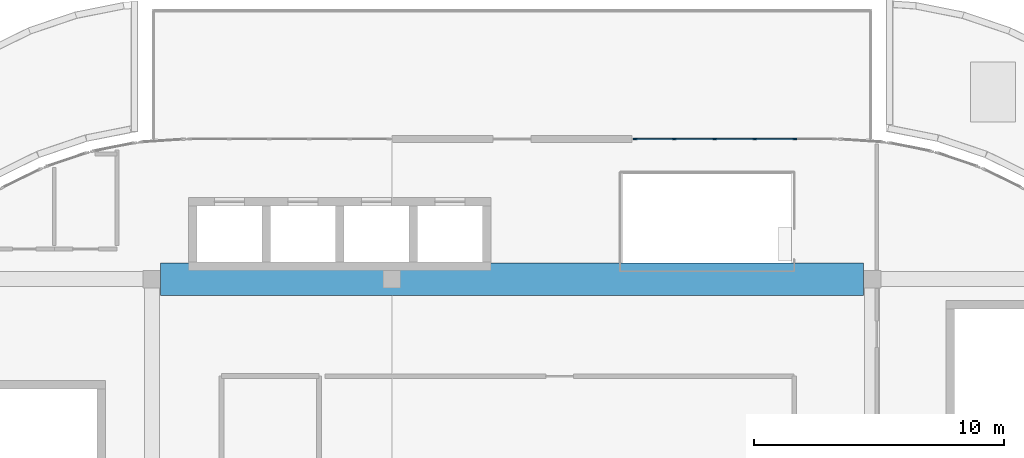
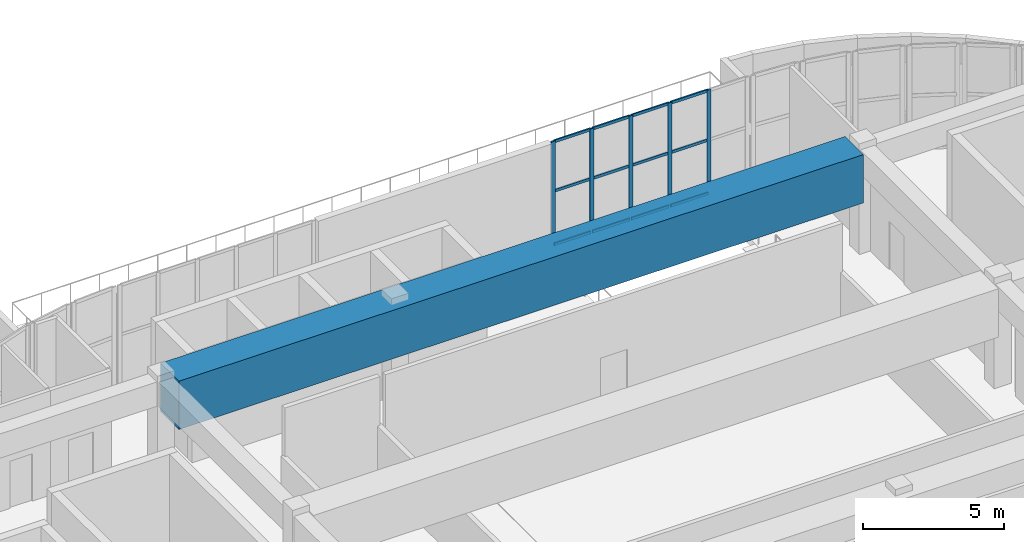
# One storey, part 11 of 23: 17 members, 1 beam, 1 element without a shape of its own.
"""IFC4 building model written with IfcOpenShell, lengths in metres."""

from ifc_helpers import new_model, si_unit, direction, frame, origin, origin_2d, place, context, subcontext, project, spatial, rectangle, extrude, material, layer, layer_set, material_profile, profile_set, type_object, element, aggregate, save


model = new_model("IFC4")

# Units and contexts
model_context = context("Model", 3, precision=1e-05, world=origin(), true_north=direction((0.0, 1.0)))
body_context = subcontext(model_context, "Body", "Model", "MODEL_VIEW")
ifc_project = project(units=[si_unit("LENGTHUNIT", "METRE"), si_unit("AREAUNIT", "SQUARE_METRE"), si_unit("VOLUMEUNIT", "CUBIC_METRE"), si_unit("PLANEANGLEUNIT", "RADIAN"), si_unit("MASSUNIT", "GRAM", prefix="KILO")], contexts=[model_context])

# Site, building, storey
site_placement = place(None, origin())
site = spatial("IfcSite", under=ifc_project, at=site_placement, CompositionType="ELEMENT")
building_placement = place(site_placement, origin())
building = spatial("IfcBuilding", under=site, at=building_placement, Name="Cendralis Terraced Arcade", CompositionType="ELEMENT")
storey_placement = place(building_placement, frame((0.0, 0.0, 29.39990234375)))
storey = spatial("IfcBuildingStorey", under=building, at=storey_placement, Name="L06", CompositionType="ELEMENT", Elevation=29.39990234375)

# Beam
ifc_material_1 = material(Name="Concrete f'c 42 MPa", Category="concrete")
ifc_material_profile_1 = material_profile(ifc_material_1, rectangle(XDim=1.300048828125, YDim=2.10009765625, at=origin_2d()), Name="RC-TG-1300x2100", Category="LoadBearing")
ifc_profile_set_1 = profile_set([ifc_material_profile_1], Name="Concrete f'c 42 MPa")
beam_type = type_object("IfcBeamType", Name="BM-TG-1300x2100", PredefinedType="USERDEFINED", material=ifc_profile_set_1)
beam_placement = place(storey_placement, frame((19.550048828125, 38.39990234375, 3.47509765625), z_axis=(1.0, 0.0, 0.0), x_axis=(0.0, 1.0, 0.0)))
element("IfcBeam", 1, at=beam_placement, inside=storey, type_object=beam_type, Name="Atrium Bridge Transfer Girder TG-ATR-RF-E", ObjectType="TRANSFER GIRDER", PredefinedType="USERDEFINED", context=body_context, shape_type="SweptSolid", body=[
    extrude(rectangle(XDim=1.300048828125, YDim=2.10009765625, at=origin_2d()), origin(), (0.0, 0.0, 1.0), 28.099853515625),
])

# Curtain wall, members
ifc_material_2 = material(Name="Anodised aluminium EN AW-6063 T6", Category="aluminium")
ifc_layer = layer(ifc_material_2, 0.159912109375, Name="CW-UNIT-B")
ifc_layer_set = layer_set([ifc_layer], Name="Anodised aluminium EN AW-6063 T6")
curtain_wall_type = type_object("IfcCurtainWallType", Name="CW-UNIT-B", PredefinedType="USERDEFINED", material=ifc_layer_set)
curtain_wall_placement = place(storey_placement, origin())
curtain_wall = element("IfcCurtainWall", 2, at=curtain_wall_placement, inside=storey, type_object=curtain_wall_type, Name="Exterior Unitised Facade CW-L06-0458", ObjectType="UNITISED FACADE", PredefinedType="USERDEFINED")
ifc_material_profile_2 = material_profile(ifc_material_2, rectangle(XDim=0.06494140625, YDim=0.159912109375, at=origin_2d()), Name="ALU-MUL-65x160")
ifc_profile_set_2 = profile_set([ifc_material_profile_2], Name="Anodised aluminium EN AW-6063 T6")
member_type_1 = type_object("IfcMemberType", Name="CW-UNIT-B-MUL", PredefinedType="MULLION", material=ifc_profile_set_2)
member_1_placement = place(storey_placement, frame((38.5224609375, 44.0, 0.0), z_axis=(0.0, 0.0, 1.0), x_axis=(0.0, 1.0, 0.0)))
member_1 = element("IfcMember", 3, at=member_1_placement, type_object=member_type_1, Name="CW-U2 mullion 1", PredefinedType="MULLION", context=body_context, shape_type="SweptSolid", body=[
    extrude(rectangle(XDim=0.06494140625, YDim=0.159912109375, at=origin_2d()), origin(), (0.0, 0.0, 1.0), 4.525146484375),
])
member_2_placement = place(storey_placement, frame((40.093994140625, 44.0, 0.0), z_axis=(0.0, 0.0, 1.0), x_axis=(0.0, 1.0, 0.0)))
member_2 = element("IfcMember", 4, at=member_2_placement, type_object=member_type_1, Name="CW-U2 mullion 2", PredefinedType="MULLION", context=body_context, shape_type="SweptSolid", body=[
    extrude(rectangle(XDim=0.06494140625, YDim=0.159912109375, at=origin_2d()), origin(), (0.0, 0.0, 1.0), 4.525146484375),
])
member_3_placement = place(storey_placement, frame((41.697998046875, 44.0, 0.0), z_axis=(0.0, 0.0, 1.0), x_axis=(0.0, 1.0, 0.0)))
member_3 = element("IfcMember", 5, at=member_3_placement, type_object=member_type_1, Name="CW-U2 mullion 3", PredefinedType="MULLION", context=body_context, shape_type="SweptSolid", body=[
    extrude(rectangle(XDim=0.06494140625, YDim=0.159912109375, at=origin_2d()), origin(), (0.0, 0.0, 1.0), 4.525146484375),
])
member_4_placement = place(storey_placement, frame((43.302001953125, 44.0, 0.0), z_axis=(0.0, 0.0, 1.0), x_axis=(0.0, 1.0, 0.0)))
member_4 = element("IfcMember", 6, at=member_4_placement, type_object=member_type_1, Name="CW-U2 mullion 4", PredefinedType="MULLION", context=body_context, shape_type="SweptSolid", body=[
    extrude(rectangle(XDim=0.06494140625, YDim=0.159912109375, at=origin_2d()), origin(), (0.0, 0.0, 1.0), 4.525146484375),
])
member_5_placement = place(storey_placement, frame((44.906005859375, 44.0, 0.0), z_axis=(0.0, 0.0, 1.0), x_axis=(0.0, 1.0, 0.0)))
member_5 = element("IfcMember", 7, at=member_5_placement, type_object=member_type_1, Name="CW-U2 mullion 5", PredefinedType="MULLION", context=body_context, shape_type="SweptSolid", body=[
    extrude(rectangle(XDim=0.06494140625, YDim=0.159912109375, at=origin_2d()), origin(), (0.0, 0.0, 1.0), 4.525146484375),
])
ifc_material_profile_3 = material_profile(ifc_material_2, rectangle(XDim=0.06005859375, YDim=0.1201171875, at=origin_2d()), Name="ALU-TRN-60x120")
ifc_profile_set_3 = profile_set([ifc_material_profile_3], Name="Anodised aluminium EN AW-6063 T6")
member_type_2 = type_object("IfcMemberType", Name="CW-UNIT-B-TRN", PredefinedType="USERDEFINED", material=ifc_profile_set_3)
member_6_placement = place(storey_placement, frame((38.554931640625, 44.0, 0.030029296875), z_axis=(1.0, 0.0, 0.0), x_axis=(0.0, 1.0, 0.0)))
member_6 = element("IfcMember", 8, at=member_6_placement, type_object=member_type_2, Name="CW-U2 transom 1.1", ObjectType="TRANSOM", PredefinedType="USERDEFINED", context=body_context, shape_type="SweptSolid", body=[
    extrude(rectangle(XDim=0.06005859375, YDim=0.1201171875, at=origin_2d()), origin(), (0.0, 0.0, 1.0), 1.506591796875),
])
member_7_placement = place(storey_placement, frame((38.554931640625, 44.0, 2.35302734375), z_axis=(1.0, 0.0, 0.0), x_axis=(0.0, 1.0, 0.0)))
member_7 = element("IfcMember", 9, at=member_7_placement, type_object=member_type_2, Name="CW-U2 transom 1.2", ObjectType="TRANSOM", PredefinedType="USERDEFINED", context=body_context, shape_type="SweptSolid", body=[
    extrude(rectangle(XDim=0.06005859375, YDim=0.1201171875, at=origin_2d()), origin(), (0.0, 0.0, 1.0), 1.506591796875),
])
member_8_placement = place(storey_placement, frame((38.554931640625, 44.0, 4.4951171875), z_axis=(1.0, 0.0, 0.0), x_axis=(0.0, 1.0, 0.0)))
member_8 = element("IfcMember", 10, at=member_8_placement, type_object=member_type_2, Name="CW-U2 transom 1.3", ObjectType="TRANSOM", PredefinedType="USERDEFINED", context=body_context, shape_type="SweptSolid", body=[
    extrude(rectangle(XDim=0.06005859375, YDim=0.1201171875, at=origin_2d()), origin(), (0.0, 0.0, 1.0), 1.506591796875),
])
member_9_placement = place(storey_placement, frame((40.12646484375, 44.0, 0.030029296875), z_axis=(1.0, 0.0, 0.0), x_axis=(0.0, 1.0, 0.0)))
member_9 = element("IfcMember", 11, at=member_9_placement, type_object=member_type_2, Name="CW-U2 transom 2.1", ObjectType="TRANSOM", PredefinedType="USERDEFINED", context=body_context, shape_type="SweptSolid", body=[
    extrude(rectangle(XDim=0.06005859375, YDim=0.1201171875, at=origin_2d()), origin(), (0.0, 0.0, 1.0), 1.5390625),
])
member_10_placement = place(storey_placement, frame((40.12646484375, 44.0, 2.35302734375), z_axis=(1.0, 0.0, 0.0), x_axis=(0.0, 1.0, 0.0)))
member_10 = element("IfcMember", 12, at=member_10_placement, type_object=member_type_2, Name="CW-U2 transom 2.2", ObjectType="TRANSOM", PredefinedType="USERDEFINED", context=body_context, shape_type="SweptSolid", body=[
    extrude(rectangle(XDim=0.06005859375, YDim=0.1201171875, at=origin_2d()), origin(), (0.0, 0.0, 1.0), 1.5390625),
])
member_11_placement = place(storey_placement, frame((40.12646484375, 44.0, 4.4951171875), z_axis=(1.0, 0.0, 0.0), x_axis=(0.0, 1.0, 0.0)))
member_11 = element("IfcMember", 13, at=member_11_placement, type_object=member_type_2, Name="CW-U2 transom 2.3", ObjectType="TRANSOM", PredefinedType="USERDEFINED", context=body_context, shape_type="SweptSolid", body=[
    extrude(rectangle(XDim=0.06005859375, YDim=0.1201171875, at=origin_2d()), origin(), (0.0, 0.0, 1.0), 1.5390625),
])
member_12_placement = place(storey_placement, frame((41.73046875, 44.0, 0.030029296875), z_axis=(1.0, 0.0, 0.0), x_axis=(0.0, 1.0, 0.0)))
member_12 = element("IfcMember", 14, at=member_12_placement, type_object=member_type_2, Name="CW-U2 transom 3.1", ObjectType="TRANSOM", PredefinedType="USERDEFINED", context=body_context, shape_type="SweptSolid", body=[
    extrude(rectangle(XDim=0.06005859375, YDim=0.1201171875, at=origin_2d()), origin(), (0.0, 0.0, 1.0), 1.5390625),
])
member_13_placement = place(storey_placement, frame((41.73046875, 44.0, 2.35302734375), z_axis=(1.0, 0.0, 0.0), x_axis=(0.0, 1.0, 0.0)))
member_13 = element("IfcMember", 15, at=member_13_placement, type_object=member_type_2, Name="CW-U2 transom 3.2", ObjectType="TRANSOM", PredefinedType="USERDEFINED", context=body_context, shape_type="SweptSolid", body=[
    extrude(rectangle(XDim=0.06005859375, YDim=0.1201171875, at=origin_2d()), origin(), (0.0, 0.0, 1.0), 1.5390625),
])
member_14_placement = place(storey_placement, frame((41.73046875, 44.0, 4.4951171875), z_axis=(1.0, 0.0, 0.0), x_axis=(0.0, 1.0, 0.0)))
member_14 = element("IfcMember", 16, at=member_14_placement, type_object=member_type_2, Name="CW-U2 transom 3.3", ObjectType="TRANSOM", PredefinedType="USERDEFINED", context=body_context, shape_type="SweptSolid", body=[
    extrude(rectangle(XDim=0.06005859375, YDim=0.1201171875, at=origin_2d()), origin(), (0.0, 0.0, 1.0), 1.5390625),
])
member_15_placement = place(storey_placement, frame((43.33447265625, 44.0, 0.030029296875), z_axis=(1.0, 0.0, 0.0), x_axis=(0.0, 1.0, 0.0)))
member_15 = element("IfcMember", 17, at=member_15_placement, type_object=member_type_2, Name="CW-U2 transom 4.1", ObjectType="TRANSOM", PredefinedType="USERDEFINED", context=body_context, shape_type="SweptSolid", body=[
    extrude(rectangle(XDim=0.06005859375, YDim=0.1201171875, at=origin_2d()), origin(), (0.0, 0.0, 1.0), 1.5390625),
])
member_16_placement = place(storey_placement, frame((43.33447265625, 44.0, 2.35302734375), z_axis=(1.0, 0.0, 0.0), x_axis=(0.0, 1.0, 0.0)))
member_16 = element("IfcMember", 18, at=member_16_placement, type_object=member_type_2, Name="CW-U2 transom 4.2", ObjectType="TRANSOM", PredefinedType="USERDEFINED", context=body_context, shape_type="SweptSolid", body=[
    extrude(rectangle(XDim=0.06005859375, YDim=0.1201171875, at=origin_2d()), origin(), (0.0, 0.0, 1.0), 1.5390625),
])
member_17_placement = place(storey_placement, frame((43.33447265625, 44.0, 4.4951171875), z_axis=(1.0, 0.0, 0.0), x_axis=(0.0, 1.0, 0.0)))
member_17 = element("IfcMember", 19, at=member_17_placement, type_object=member_type_2, Name="CW-U2 transom 4.3", ObjectType="TRANSOM", PredefinedType="USERDEFINED", context=body_context, shape_type="SweptSolid", body=[
    extrude(rectangle(XDim=0.06005859375, YDim=0.1201171875, at=origin_2d()), origin(), (0.0, 0.0, 1.0), 1.5390625),
])
aggregate(curtain_wall, [member_1, member_2, member_3, member_4, member_5, member_6, member_7, member_8, member_9, member_10, member_11, member_12, member_13, member_14, member_15, member_16, member_17])

save(model, "model.ifc")
